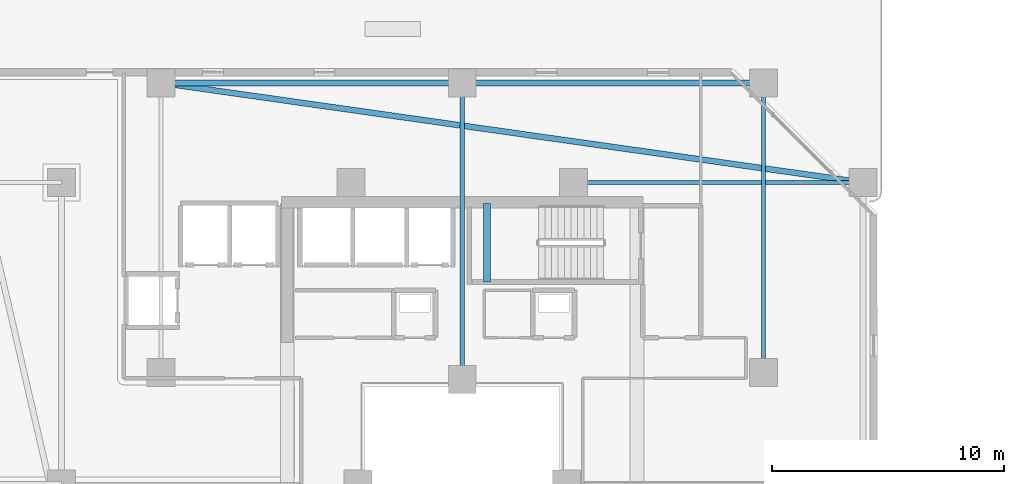
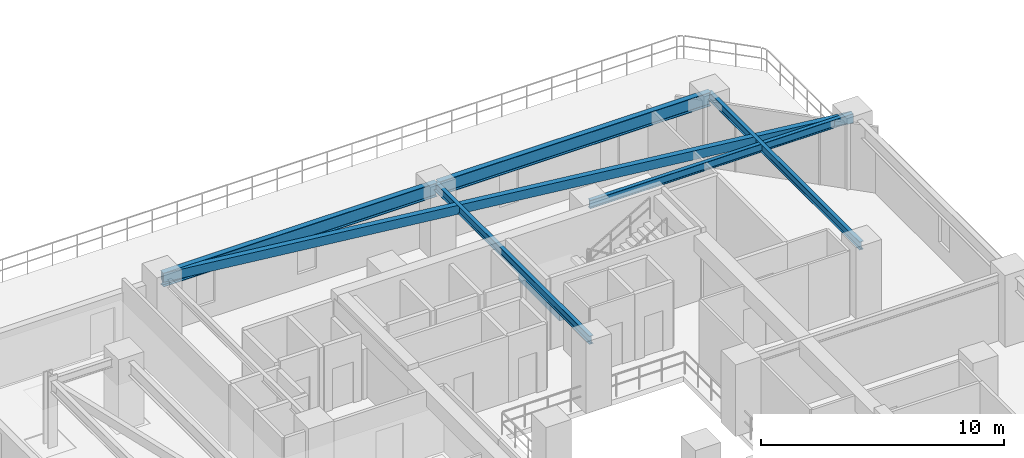
# One storey, part 8 of 31: 7 beams.
"""IFC4 building model written with IfcOpenShell, lengths in metres."""

import ifcopenshell
import ifcopenshell.guid

model = None  # the IFC model being written
_history = None  # IfcOwnerHistory: only IFC2X3 demands one
_inside = {}  # id of a spatial element -> (the spatial element, [elements in it])
_under = {}  # id of a project, library or spatial element -> (it, [spatial elements below it])
_declared = {}  # id of a project -> (the project, [libraries it declares])
_typed = {}  # id of a type object -> (the type object, [elements of that type])
_made_of = {}  # id of a material, layer set ... -> (it, [elements and type objects made of it])


def new_model(schema):
    """Start an empty IFC model of exactly this schema.

    Asked for "IFC4X3", IfcOpenShell would pick the latest addendum, in which some entities
    have other attributes; the version numbers below select the first issue.
    IFC2X3 requires an IfcOwnerHistory on every rooted entity: one is made here for all.
    """
    global model, _history
    if schema == "IFC4X3":
        model = ifcopenshell.file(schema_version=(4, 3, 0, 0))
    else:
        model = ifcopenshell.file(schema=schema)
    _inside.clear()
    _under.clear()
    _declared.clear()
    _typed.clear()
    _made_of.clear()
    _history = None
    if model.schema == "IFC2X3":
        org = make("IfcOrganization", Name="unknown")
        user = make(
            "IfcPersonAndOrganization",
            ThePerson=make("IfcPerson", FamilyName="unknown"),
            TheOrganization=org,
        )
        app = make(
            "IfcApplication",
            ApplicationDeveloper=org,
            Version="unknown",
            ApplicationFullName="unknown",
            ApplicationIdentifier="unknown",
        )
        _history = make(
            "IfcOwnerHistory",
            OwningUser=user,
            OwningApplication=app,
            ChangeAction="ADDED",
            CreationDate=0,
        )
    return model


def make(cls, **values):
    """One entity of the class cls with the attributes given. An attribute that is None is left unset."""
    return model.create_entity(
        cls, **{name: value for name, value in values.items() if value is not None}
    )


def rooted(cls, **values):
    """An entity with a GlobalId (a new one), such as an element, a storey or a relation."""
    return make(cls, GlobalId=ifcopenshell.guid.new(), OwnerHistory=_history, **values)


def si_unit(unit_type, name, prefix=None):
    """IfcSIUnit, for example si_unit("LENGTHUNIT", "METRE", prefix="MILLI")."""
    return make("IfcSIUnit", UnitType=unit_type, Prefix=prefix, Name=name)


def assignment(units):
    """IfcUnitAssignment: the units of a project."""
    return None if units is None else make("IfcUnitAssignment", Units=units)


def point(xyz):
    """IfcCartesianPoint."""
    return None if xyz is None else make("IfcCartesianPoint", Coordinates=xyz)


def direction(xyz):
    """IfcDirection."""
    return None if xyz is None else make("IfcDirection", DirectionRatios=xyz)


def frame(location, z_axis=None, x_axis=None):
    """IfcAxis2Placement3D, a coordinate frame: its origin and axes. An axis left out is left unset."""
    return make(
        "IfcAxis2Placement3D",
        Location=point(location),
        Axis=direction(z_axis),
        RefDirection=direction(x_axis),
    )


def frame_2d(location, x_axis=None):
    """IfcAxis2Placement2D, a coordinate frame in the plane: its origin and x axis."""
    return make(
        "IfcAxis2Placement2D", Location=point(location), RefDirection=direction(x_axis)
    )


def origin():
    """The frame at (0, 0, 0) with its axes left unset."""
    return frame((0.0, 0.0, 0.0))


def origin_2d():
    """The frame at (0, 0) in the plane with its x axis left unset."""
    return frame_2d((0.0, 0.0))


def place(relative_to, where):
    """IfcLocalPlacement: puts the frame where relative to a parent placement (None: the world)."""
    return make(
        "IfcLocalPlacement", PlacementRelTo=relative_to, RelativePlacement=where
    )


def context(
    kind, dimensions, precision=None, world=None, true_north=None, identifier=None
):
    """IfcGeometricRepresentationContext, for example the 3D "Model" context."""
    return make(
        "IfcGeometricRepresentationContext",
        ContextIdentifier=identifier,
        ContextType=kind,
        CoordinateSpaceDimension=dimensions,
        Precision=precision,
        WorldCoordinateSystem=world,
        TrueNorth=true_north,
    )


def subcontext(parent, identifier, kind, view, scale=None):
    """IfcGeometricRepresentationSubContext, for example "Body" below "Model"."""
    return make(
        "IfcGeometricRepresentationSubContext",
        ContextIdentifier=identifier,
        ContextType=kind,
        ParentContext=parent,
        TargetScale=scale,
        TargetView=view,
    )


def project(units=None, contexts=None):
    """IfcProject with its units and contexts."""
    return rooted(
        "IfcProject",
        Name="project",
        RepresentationContexts=contexts,
        UnitsInContext=assignment(units),
    )


def spatial(cls, under=None, at=None, **own):
    """A site, building, storey or space (cls), placed at a placement, below another one or the project."""
    s = rooted(cls, ObjectPlacement=at, **own)
    if under is not None:
        _under.setdefault(under.id(), (under, []))[1].append(s)
    return s


def profile(cls, at=None, kind="AREA", **sizes):
    """A parametric profile (cls). Its sizes go by their IFC names, for example OverallWidth=200.0."""
    return make(cls, ProfileType=kind, Position=at, **sizes)


def rectangle(**sizes):
    """IfcRectangleProfileDef."""
    return profile("IfcRectangleProfileDef", **sizes)


def hollow_rectangle(**sizes):
    """IfcRectangleHollowProfileDef."""
    return profile("IfcRectangleHollowProfileDef", **sizes)


def i_section(**sizes):
    """IfcIShapeProfileDef."""
    return profile("IfcIShapeProfileDef", **sizes)


def extrude(swept, where, along, depth):
    """IfcExtrudedAreaSolid: the profile swept, set in the frame where, extruded along a direction by depth."""
    return make(
        "IfcExtrudedAreaSolid",
        SweptArea=swept,
        Position=where,
        ExtrudedDirection=direction(along),
        Depth=depth,
    )


def shape(context_of_items, identifier, shape_type, items):
    """IfcShapeRepresentation: the items that make up one representation, for example the "Body"."""
    return make(
        "IfcShapeRepresentation",
        ContextOfItems=context_of_items,
        RepresentationIdentifier=identifier,
        RepresentationType=shape_type,
        Items=items,
    )


def material(Name=None, Category=None):
    """IfcMaterial."""
    return make("IfcMaterial", Name=Name, Category=Category)


def material_profile(
    of_material, cross_section, Name=None, Category=None, Priority=None
):
    """IfcMaterialProfile: a cross section and its material."""
    return make(
        "IfcMaterialProfile",
        Name=Name,
        Material=of_material,
        Profile=cross_section,
        Priority=Priority,
        Category=Category,
    )


def profile_set(profiles, Name=None, composite=None):
    """IfcMaterialProfileSet."""
    return make(
        "IfcMaterialProfileSet",
        Name=Name,
        MaterialProfiles=profiles,
        CompositeProfile=composite,
    )


def made_of(thing, what):
    """Note that an element or type object is made of a material, layer set ...; save() writes the relation."""
    if what is not None:
        _made_of.setdefault(what.id(), (what, []))[1].append(thing)
    return thing


def type_object(cls, material=None, **own):
    """A type object (cls), such as IfcWallType, which elements share."""
    return made_of(rooted(cls, **own), material)


def element(
    cls,
    number,
    at=None,
    inside=None,
    cuts=None,
    type_object=None,
    material=None,
    context=None,
    identifier="Body",
    shape_type=None,
    held_by="IfcProductDefinitionShape",
    body=None,
    shapes=None,
    **own,
):
    """One element of the class cls, such as IfcWall. Its Tag is "e" and its number.

    at: its placement. inside: the storey or other place that contains it. cuts: it is an
    opening in that element (IfcRelVoidsElement). A single representation is given by context,
    identifier, shape_type and body (its items); several are given by shapes. held_by: the class
    of the entity that holds the representations. save() writes the other relations.
    """
    e = rooted(cls, Tag="e%d" % number, ObjectPlacement=at, **own)
    if body is not None:
        shapes = [shape(context, identifier, shape_type, body)]
    if shapes is not None:
        e.Representation = make(held_by, Representations=shapes)
    if inside is not None:
        _inside.setdefault(inside.id(), (inside, []))[1].append(e)
    if cuts is not None:
        rooted(
            "IfcRelVoidsElement", RelatingBuildingElement=cuts, RelatedOpeningElement=e
        )
    if type_object is not None:
        _typed.setdefault(type_object.id(), (type_object, []))[1].append(e)
    return made_of(e, material)


def aggregate(whole, parts):
    """IfcRelAggregates: a whole, such as a stair, and the parts it consists of."""
    return rooted("IfcRelAggregates", RelatingObject=whole, RelatedObjects=parts)


def save(model, path):
    """Write the relations noted so far, then the file.

    IfcRelAggregates (storeys below a building ...), IfcRelContainedInSpatialStructure (elements
    in a storey), IfcRelDefinesByType, IfcRelAssociatesMaterial and IfcRelDeclares: one each for
    every whole, place, type object, material and project.
    """
    for whole, parts in _under.values():
        aggregate(whole, parts)
    for where, things in _inside.values():
        rooted(
            "IfcRelContainedInSpatialStructure",
            RelatedElements=things,
            RelatingStructure=where,
        )
    for kind, things in _typed.values():
        rooted("IfcRelDefinesByType", RelatedObjects=things, RelatingType=kind)
    for what, things in _made_of.values():
        rooted("IfcRelAssociatesMaterial", RelatedObjects=things, RelatingMaterial=what)
    for by, libraries in _declared.values():
        rooted("IfcRelDeclares", RelatingContext=by, RelatedDefinitions=libraries)
    model.write(path)


model = new_model("IFC4")

# Units and contexts
model_context = context("Model", 3, precision=1e-05, world=origin(), true_north=direction((0.0, 1.0)))
body_context = subcontext(model_context, "Body", "Model", "MODEL_VIEW")
ifc_project = project(units=[si_unit("LENGTHUNIT", "METRE"), si_unit("AREAUNIT", "SQUARE_METRE"), si_unit("VOLUMEUNIT", "CUBIC_METRE"), si_unit("PLANEANGLEUNIT", "RADIAN"), si_unit("MASSUNIT", "GRAM", prefix="KILO")], contexts=[model_context])

# Site, building, storey
site_placement = place(None, origin())
site = spatial("IfcSite", under=ifc_project, at=site_placement, CompositionType="ELEMENT")
building_placement = place(site_placement, origin())
building = spatial("IfcBuilding", under=site, at=building_placement, Name="Thornwick Lancets Civic Towers", CompositionType="ELEMENT")
storey_placement = place(building_placement, frame((0.0, 0.0, 119.699951171875)))
storey = spatial("IfcBuildingStorey", under=building, at=storey_placement, Name="L31", CompositionType="ELEMENT", Elevation=119.699951171875)

# Beams
ifc_material_1 = material(Name="Steel S355JR", Category="steel")
ifc_material_profile_1 = material_profile(ifc_material_1, i_section(OverallWidth=0.255859375, OverallDepth=0.69287109375, WebThickness=0.014404296875, FlangeThickness=0.023681640625, FilletRadius=0.01513671875, at=origin_2d()), Name="UKB 686x254x170")
ifc_profile_set_1 = profile_set([ifc_material_profile_1], Name="Steel S355JR")
beam_type_1 = type_object("IfcBeamType", Name="BM_GIRD_686_170", PredefinedType="BEAM", material=ifc_profile_set_1)
beam_1_placement = place(storey_placement, frame((12.5, 44.300048828125, 2.99365234375), z_axis=(1.0, 0.0, 0.0), x_axis=(0.0, 1.0, 0.0)))
element("IfcBeam", 1, at=beam_1_placement, inside=storey, type_object=beam_type_1, Name="BM-SPINE-L31-A-6-7", PredefinedType="BEAM", context=body_context, shape_type="SweptSolid", body=[
    extrude(i_section(OverallWidth=0.255859375, OverallDepth=0.69287109375, WebThickness=0.014404296875, FlangeThickness=0.023681640625, FilletRadius=0.01513671875, at=origin_2d()), origin(), (0.0, 0.0, 1.0), 13.0),
])
beam_2_placement = place(storey_placement, frame((25.580078125, 44.300048828125, 2.99365234375), z_axis=(1.0, 0.0, 0.0), x_axis=(0.0, 1.0, 0.0)))
element("IfcBeam", 2, at=beam_2_placement, inside=storey, type_object=beam_type_1, Name="BM-SPINE-L31-A-7-8", PredefinedType="BEAM", context=body_context, shape_type="SweptSolid", body=[
    extrude(i_section(OverallWidth=0.255859375, OverallDepth=0.69287109375, WebThickness=0.014404296875, FlangeThickness=0.023681640625, FilletRadius=0.01513671875, at=origin_2d()), origin(), (0.0, 0.0, 1.0), 12.919921875),
])
ifc_material_profile_2 = material_profile(ifc_material_1, i_section(OverallWidth=0.179443359375, OverallDepth=0.412841796875, WebThickness=0.009521484375, FlangeThickness=0.01611328125, FilletRadius=0.01025390625, at=origin_2d()), Name="UKB 406x178x74")
ifc_profile_set_2 = profile_set([ifc_material_profile_2], Name="Steel S355JR")
beam_type_2 = type_object("IfcBeamType", Name="BM_JOIST_406_74", PredefinedType="JOIST", material=ifc_profile_set_2)
beam_3_placement = place(storey_placement, frame((30.300048828125, 40.0, 3.133544921875), z_axis=(1.0, 0.0, 0.0), x_axis=(0.0, 1.0, 0.0)))
element("IfcBeam", 3, at=beam_3_placement, inside=storey, type_object=beam_type_2, Name="BM-RADIN-L31-A06", PredefinedType="JOIST", context=body_context, shape_type="SweptSolid", body=[
    extrude(i_section(OverallWidth=0.179443359375, OverallDepth=0.412841796875, WebThickness=0.009521484375, FlangeThickness=0.01611328125, FilletRadius=0.01025390625, at=origin_2d()), origin(), (0.0, 0.0, 1.0), 12.5),
])
beam_4_placement = place(storey_placement, frame((25.5, 31.5, 3.133544921875), z_axis=(0.0, 1.0, 0.0), x_axis=(-1.0, 0.0, 0.0)))
element("IfcBeam", 4, at=beam_4_placement, inside=storey, type_object=beam_type_2, Name="BM-RADIN-L31-A08", PredefinedType="JOIST", context=body_context, shape_type="SweptSolid", body=[
    extrude(i_section(OverallWidth=0.179443359375, OverallDepth=0.412841796875, WebThickness=0.009521484375, FlangeThickness=0.01611328125, FilletRadius=0.01025390625, at=origin_2d()), origin(), (0.0, 0.0, 1.0), 12.800048828125),
])
beam_5_placement = place(storey_placement, frame((38.5, 31.800048828125, 3.133544921875), z_axis=(0.0, 1.0, 0.0), x_axis=(-1.0, 0.0, 0.0)))
element("IfcBeam", 5, at=beam_5_placement, inside=storey, type_object=beam_type_2, Name="BM-RADIN-L31-A09", PredefinedType="JOIST", context=body_context, shape_type="SweptSolid", body=[
    extrude(i_section(OverallWidth=0.179443359375, OverallDepth=0.412841796875, WebThickness=0.009521484375, FlangeThickness=0.01611328125, FilletRadius=0.01025390625, at=origin_2d()), origin(), (0.0, 0.0, 1.0), 12.5),
])
ifc_material_profile_3 = material_profile(ifc_material_1, hollow_rectangle(XDim=0.25, YDim=0.449951171875, WallThickness=0.01611328125, at=origin_2d()), Name="RHS 450x250x16")
ifc_profile_set_3 = profile_set([ifc_material_profile_3], Name="Steel S355JR")
beam_type_3 = type_object("IfcBeamType", Name="BM_RING_RHS450", PredefinedType="BEAM", material=ifc_profile_set_3)
beam_6_placement = place(storey_placement, frame((42.800048828125, 40.0, 3.114990234375), z_axis=(-0.990079584012, 0.140507712682, 0.0), x_axis=(-0.140507712682, -0.990079584012, 0.0)))
element("IfcBeam", 6, at=beam_6_placement, inside=storey, type_object=beam_type_3, Name="BM-CHAMF-L31-A-C1", PredefinedType="BEAM", context=body_context, shape_type="SweptSolid", body=[
    extrude(hollow_rectangle(XDim=0.25, YDim=0.449951171875, WallThickness=0.01611328125, at=origin_2d()), origin(), (0.0, 0.0, 1.0), 30.603759765625),
])
ifc_material_2 = material(Name="Concrete C40/50", Category="concrete")
ifc_material_profile_4 = material_profile(ifc_material_2, rectangle(XDim=0.300048828125, YDim=0.35009765625, at=origin_2d()), Name="RC 300x350")
ifc_profile_set_4 = profile_set([ifc_material_profile_4], Name="Concrete C40/50")
beam_type_4 = type_object("IfcBeamType", Name="BM_STAIR_LDG", PredefinedType="BEAM", material=ifc_profile_set_4)
beam_7_placement = place(storey_placement, frame((26.56494140625, 39.10009765625, 1.3779296875), z_axis=(0.0, -1.0, 0.0), x_axis=(1.0, 0.0, 0.0)))
element("IfcBeam", 7, at=beam_7_placement, inside=storey, type_object=beam_type_4, Name="L31 ST-A2 Landing Support Beam 1", PredefinedType="BEAM", context=body_context, shape_type="SweptSolid", body=[
    extrude(rectangle(XDim=0.300048828125, YDim=0.35009765625, at=origin_2d()), origin(), (0.0, 0.0, 1.0), 3.400146484375),
])

save(model, "model.ifc")
